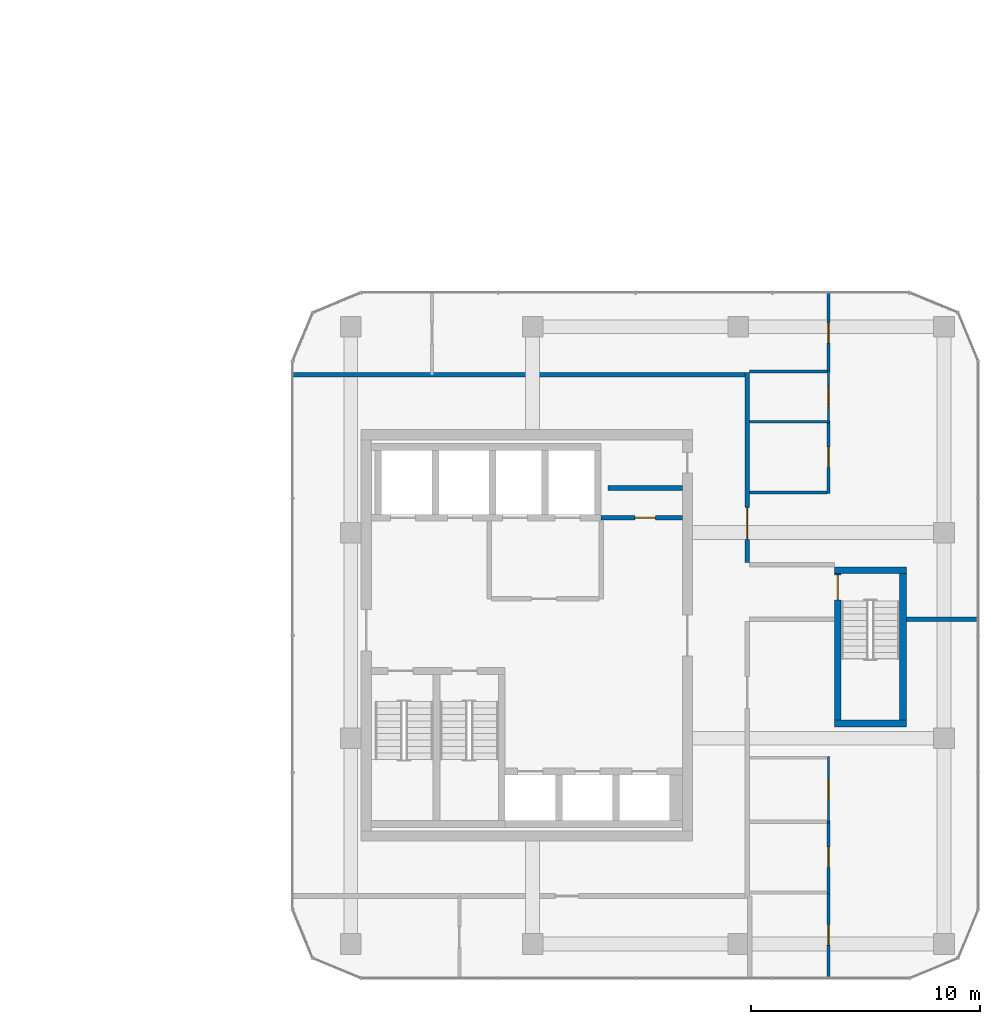
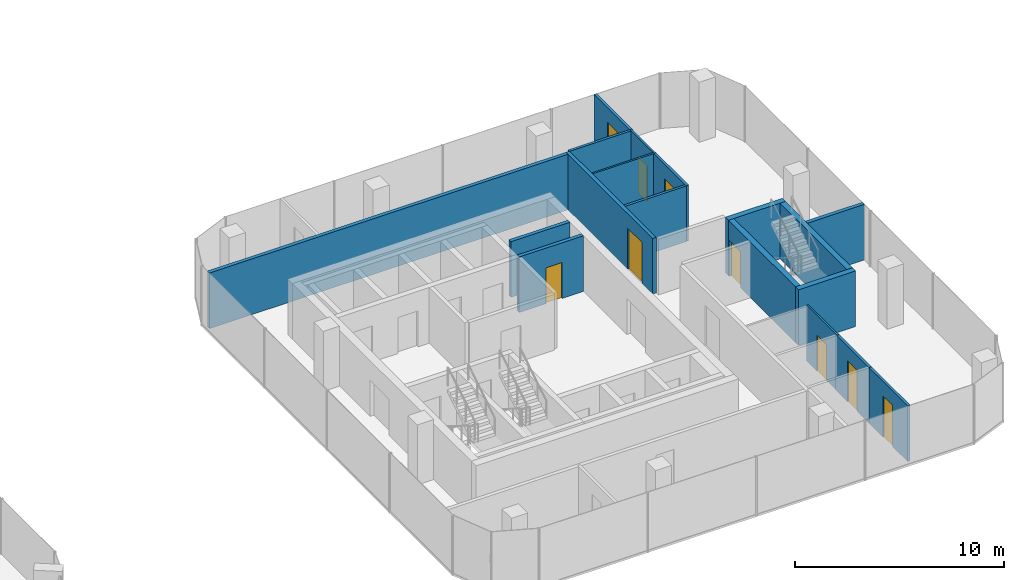
# One storey, part 19 of 27: 18 walls, 9 doors, 9 openings.
"""IFC4 building model written with IfcOpenShell, lengths in metres."""

from ifc_helpers import new_model, si_unit, direction, frame, frame_2d, origin, place, context, subcontext, project, spatial, rectangle, extrude, material, layer, layer_set, type_object, element, fill, save


model = new_model("IFC4")

# Units and contexts
model_context = context("Model", 3, precision=1e-05, world=origin(), true_north=direction((0.0, 1.0)))
body_context = subcontext(model_context, "Body", "Model", "MODEL_VIEW")
ifc_project = project(units=[si_unit("LENGTHUNIT", "METRE"), si_unit("AREAUNIT", "SQUARE_METRE"), si_unit("VOLUMEUNIT", "CUBIC_METRE"), si_unit("PLANEANGLEUNIT", "RADIAN"), si_unit("MASSUNIT", "GRAM", prefix="KILO")], contexts=[model_context])

# Site, building, storey
site_placement = place(None, origin())
site = spatial("IfcSite", under=ifc_project, at=site_placement, CompositionType="ELEMENT")
building_placement = place(site_placement, origin())
building = spatial("IfcBuilding", under=site, at=building_placement, Name="Plateau Cross Towers", CompositionType="ELEMENT")
storey_placement = place(building_placement, frame((0.0, 0.0, 78.300048828125)))
storey = spatial("IfcBuildingStorey", under=building, at=storey_placement, Name="L19", CompositionType="ELEMENT", Elevation=78.300048828125)

# Wall, opening, door
ifc_material_1 = material(Name="Concrete block, plastered both sides", Category="concrete")
ifc_layer_1 = layer(ifc_material_1, 0.199951171875)
ifc_layer_set_1 = layer_set([ifc_layer_1], Name="Concrete block, plastered both sides")
wall_type_1 = type_object("IfcWallType", Name="Core partition 200", PredefinedType="PARTITIONING", material=ifc_layer_set_1)
wall_1_placement = place(storey_placement, frame((85.5, 14.14990234375, 0.0), z_axis=(0.0, 0.0, 1.0), x_axis=(1.0, 0.0, 0.0)))
wall_1 = element("IfcWall", 1, at=wall_1_placement, inside=storey, type_object=wall_type_1, Name="Core partition", PredefinedType="PARTITIONING", context=body_context, shape_type="SweptSolid", body=[
    extrude(rectangle(XDim=3.550048828125, YDim=0.199951171875, at=frame_2d((1.77490234375, 0.0))), origin(), (0.0, 0.0, 1.0), 3.25),
])
opening_1_placement = place(wall_1_placement, frame((1.47509765625, 0.0, 0.0)))
opening_1 = element("IfcOpeningElement", 2, at=opening_1_placement, cuts=wall_1, Name="Opening RD2", PredefinedType="OPENING", context=body_context, shape_type="SweptSolid", body=[
    extrude(rectangle(XDim=0.89990234375, YDim=2.10009765625, at=frame_2d((0.449951171875, 1.050048828125))), frame((0.0, 0.10986328125, 0.0), z_axis=(0.0, -1.0, 0.0), x_axis=(1.0, 0.0, 0.0)), (0.0, 0.0, 1.0), 0.219970703125),
])
ifc_material_2 = material(Name="Steel, fire-resisting leaf", Category="steel")
door_type_1 = type_object("IfcDoorType", Name="Core riser door 900", OperationType="NOTDEFINED", PredefinedType="DOOR", material=ifc_material_2)
door_1_placement = place(opening_1_placement, origin())
door_1 = element("IfcDoor", 3, at=door_1_placement, inside=storey, type_object=door_type_1, Name="Core riser door RD2", OperationType="SINGLE_SWING_LEFT", OverallHeight=2.10009765625, OverallWidth=0.89990234375, PredefinedType="DOOR", context=body_context, shape_type="SweptSolid", body=[
    extrude(rectangle(XDim=0.89990234375, YDim=2.10009765625, at=frame_2d((0.449951171875, 1.050048828125))), frame((0.0, 0.02490234375, 0.0), z_axis=(0.0, -1.0, 0.0), x_axis=(1.0, 0.0, 0.0)), (0.0, 0.0, 1.0), 0.050048828125),
])
fill(opening_1, door_1)

# Wall
wall_2_placement = place(storey_placement, frame((85.800048828125, 15.449951171875, 0.0), z_axis=(0.0, 0.0, 1.0), x_axis=(1.0, 0.0, 0.0)))
element("IfcWall", 4, at=wall_2_placement, inside=storey, type_object=wall_type_1, Name="Core partition", PredefinedType="PARTITIONING", context=body_context, shape_type="SweptSolid", body=[
    extrude(rectangle(XDim=3.25, YDim=0.199951171875, at=frame_2d((1.625, 0.0))), origin(), (0.0, 0.0, 1.0), 3.25),
])

# Wall, opening, door
ifc_material_3 = material(Name="Concrete C60/75", Category="concrete")
ifc_layer_2 = layer(ifc_material_3, 0.300048828125)
ifc_layer_set_2 = layer_set([ifc_layer_2], Name="Concrete C60/75")
wall_type_2 = type_object("IfcWallType", Name="Core shaft wall 300", PredefinedType="SHEAR", material=ifc_layer_set_2)
wall_3_placement = place(storey_placement, frame((95.85009765625, 5.300048828125, 0.0), z_axis=(0.0, 0.0, 1.0), x_axis=(0.0, 1.0, 0.0)))
wall_3 = element("IfcWall", 5, at=wall_3_placement, inside=storey, type_object=wall_type_2, Name="B-sb3-W@L19", PredefinedType="SHEAR", context=body_context, shape_type="SweptSolid", body=[
    extrude(rectangle(XDim=6.39990234375, YDim=0.300048828125, at=frame_2d((3.199951171875, 0.0))), origin(), (0.0, 0.0, 1.0), 3.25),
])
opening_2_placement = place(wall_3_placement, frame((5.25, 0.0, 0.0)))
opening_2 = element("IfcOpeningElement", 6, at=opening_2_placement, cuts=wall_3, Name="Opening SD", PredefinedType="OPENING", context=body_context, shape_type="SweptSolid", body=[
    extrude(rectangle(XDim=1.10009765625, YDim=2.10009765625, at=frame_2d((0.550048828125, 1.050048828125))), frame((0.0, 0.159912109375, 0.0), z_axis=(0.0, -1.0, 0.0), x_axis=(1.0, 0.0, 0.0)), (0.0, 0.0, 1.0), 0.320068359375),
])
door_type_2 = type_object("IfcDoorType", Name="Stair door 1100", OperationType="NOTDEFINED", PredefinedType="DOOR", material=ifc_material_2)
door_2_placement = place(opening_2_placement, origin())
door_2 = element("IfcDoor", 7, at=door_2_placement, inside=storey, type_object=door_type_2, Name="Stair door SD", OperationType="SINGLE_SWING_LEFT", OverallHeight=2.10009765625, OverallWidth=1.10009765625, PredefinedType="DOOR", context=body_context, shape_type="SweptSolid", body=[
    extrude(rectangle(XDim=1.10009765625, YDim=2.10009765625, at=frame_2d((0.550048828125, 1.050048828125))), frame((0.0, 0.02490234375, 0.0), z_axis=(0.0, -1.0, 0.0), x_axis=(1.0, 0.0, 0.0)), (0.0, 0.0, 1.0), 0.050048828125),
])
fill(opening_2, door_2)

# Walls
wall_4_placement = place(storey_placement, frame((98.699951171875, 5.300048828125, 0.0), z_axis=(0.0, 0.0, 1.0), x_axis=(0.0, 1.0, 0.0)))
element("IfcWall", 8, at=wall_4_placement, inside=storey, type_object=wall_type_2, Name="B-sb3-E@L19", PredefinedType="SHEAR", context=body_context, shape_type="SweptSolid", body=[
    extrude(rectangle(XDim=6.39990234375, YDim=0.300048828125, at=frame_2d((3.199951171875, 0.0))), origin(), (0.0, 0.0, 1.0), 3.25),
])
for number, where, z_axis, x_axis, name in (
    (9, (95.699951171875, 5.14990234375, 0.0), (0.0, 0.0, 1.0), (1.0, 0.0, 0.0), "B-sb3-S@L19"),
    (10, (95.699951171875, 11.85009765625, 0.0), (0.0, 0.0, 1.0), (1.0, 0.0, 0.0), "B-sb3-N@L19"),
):
    element("IfcWall", number, at=place(storey_placement, frame(where, z_axis=z_axis, x_axis=x_axis)), inside=storey, type_object=wall_type_2, Name=name, PredefinedType="SHEAR", context=body_context, shape_type="SweptSolid", body=[
        extrude(rectangle(XDim=3.150146484375, YDim=0.300048828125, at=frame_2d((1.5751953125, 0.0))), origin(), (0.0, 0.0, 1.0), 3.25),
    ])
ifc_material_4 = material(Name="Gypsum board on steel studs, two layers each side", Category="steel")
ifc_layer_3 = layer(ifc_material_4, 0.199951171875)
ifc_layer_set_3 = layer_set([ifc_layer_3], Name="Gypsum board on steel studs, two layers each side")
wall_type_3 = type_object("IfcWallType", Name="Corridor wall 200", PredefinedType="PARTITIONING", material=ifc_layer_set_3)
wall_5_placement = place(storey_placement, frame((72.0, 20.39990234375, 0.0), z_axis=(0.0, 0.0, 1.0), x_axis=(1.0, 0.0, 0.0)))
element("IfcWall", 11, at=wall_5_placement, inside=storey, type_object=wall_type_3, Name="Ring wall", PredefinedType="PARTITIONING", context=body_context, shape_type="SweptSolid", body=[
    extrude(rectangle(XDim=20.0, YDim=0.199951171875, at=frame_2d((10.0, 0.0))), origin(), (0.0, 0.0, 1.0), 3.25),
])

# Wall, opening, door
wall_6_placement = place(storey_placement, frame((91.89990234375, 12.199951171875, 0.0), z_axis=(0.0, 0.0, 1.0), x_axis=(0.0, 1.0, 0.0)))
wall_6 = element("IfcWall", 12, at=wall_6_placement, inside=storey, type_object=wall_type_3, Name="Ring wall", PredefinedType="PARTITIONING", context=body_context, shape_type="SweptSolid", body=[
    extrude(rectangle(XDim=8.300048828125, YDim=0.199951171875, at=frame_2d((4.14990234375, 0.0))), origin(), (0.0, 0.0, 1.0), 3.25),
])
opening_3_placement = place(wall_6_placement, frame((1.0, 0.0, 0.0)))
opening_3 = element("IfcOpeningElement", 13, at=opening_3_placement, cuts=wall_6, Name="Opening D-BE14", PredefinedType="OPENING", context=body_context, shape_type="SweptSolid", body=[
    extrude(rectangle(XDim=1.39990234375, YDim=2.39990234375, at=frame_2d((0.699951171875, 1.199951171875))), frame((0.0, 0.10986328125, 0.0), z_axis=(0.0, -1.0, 0.0), x_axis=(1.0, 0.0, 0.0)), (0.0, 0.0, 1.0), 0.219970703125),
])
ifc_material_5 = material(Name="Timber, fire-resisting leaves", Category="wood")
door_type_3 = type_object("IfcDoorType", Name="Tenant entrance double-leaf 1400x2400", OperationType="NOTDEFINED", PredefinedType="DOOR", material=ifc_material_5)
door_3_placement = place(opening_3_placement, origin())
door_3 = element("IfcDoor", 14, at=door_3_placement, inside=storey, type_object=door_type_3, Name="Door D-BE14", OperationType="DOUBLE_DOOR_SINGLE_SWING", OverallHeight=2.39990234375, OverallWidth=1.39990234375, PredefinedType="DOOR", context=body_context, shape_type="SweptSolid", body=[
    extrude(rectangle(XDim=1.39990234375, YDim=2.39990234375, at=frame_2d((0.699951171875, 1.199951171875))), frame((0.0, 0.02490234375, 0.0), z_axis=(0.0, -1.0, 0.0), x_axis=(1.0, 0.0, 0.0)), (0.0, 0.0, 1.0), 0.050048828125),
])
fill(opening_3, door_3)

ifc_material_6 = material(Name="Gypsum board on staggered steel studs, mineral wool, two layers each side", Category="steel")
ifc_layer_4 = layer(ifc_material_6, 0.139892578125)
ifc_layer_set_4 = layer_set([ifc_layer_4], Name="Gypsum board on staggered steel studs, mineral wool, two layers each side")
wall_type_4 = type_object("IfcWallType", Name="Meeting room acoustic partition 140", PredefinedType="PARTITIONING", material=ifc_layer_set_4)
wall_7_placement = place(storey_placement, frame((95.449951171875, -6.0, 0.0), z_axis=(0.0, 0.0, 1.0), x_axis=(0.0, 1.0, 0.0)))
wall_7 = element("IfcWall", 15, at=wall_7_placement, inside=storey, type_object=wall_type_4, Name="Acoustic wall", PredefinedType="PARTITIONING", context=body_context, shape_type="SweptSolid", body=[
    extrude(rectangle(XDim=3.800048828125, YDim=0.139892578125, at=frame_2d((1.89990234375, 0.0))), origin(), (0.0, 0.0, 1.0), 3.25),
])
opening_4_placement = place(wall_7_placement, frame((1.449951171875, 0.0, 0.0)))
opening_4 = element("IfcOpeningElement", 16, at=opening_4_placement, cuts=wall_7, Name="Opening D-BM9", PredefinedType="OPENING", context=body_context, shape_type="SweptSolid", body=[
    extrude(rectangle(XDim=0.89990234375, YDim=2.39990234375, at=frame_2d((0.449951171875, 1.199951171875))), frame((0.0, 0.079833984375, 0.0), z_axis=(0.0, -1.0, 0.0), x_axis=(1.0, 0.0, 0.0)), (0.0, 0.0, 1.0), 0.159912109375),
])
ifc_material_7 = material(Name="Timber leaf, full height", Category="wood")
door_type_4 = type_object("IfcDoorType", Name="Meeting room door 900x2400", OperationType="NOTDEFINED", PredefinedType="DOOR", material=ifc_material_7)
door_4_placement = place(opening_4_placement, origin())
door_4 = element("IfcDoor", 17, at=door_4_placement, inside=storey, type_object=door_type_4, Name="Door D-BM9", OperationType="SINGLE_SWING_LEFT", OverallHeight=2.39990234375, OverallWidth=0.89990234375, PredefinedType="DOOR", context=body_context, shape_type="SweptSolid", body=[
    extrude(rectangle(XDim=0.89990234375, YDim=2.39990234375, at=frame_2d((0.449951171875, 1.199951171875))), frame((0.0, 0.02490234375, 0.0), z_axis=(0.0, -1.0, 0.0), x_axis=(1.0, 0.0, 0.0)), (0.0, 0.0, 1.0), 0.050048828125),
])
fill(opening_4, door_4)

wall_8_placement = place(storey_placement, frame((95.449951171875, -2.300048828125, 0.0), z_axis=(0.0, 0.0, 1.0), x_axis=(0.0, 1.0, 0.0)))
wall_8 = element("IfcWall", 18, at=wall_8_placement, inside=storey, type_object=wall_type_4, Name="Acoustic wall", PredefinedType="PARTITIONING", context=body_context, shape_type="SweptSolid", body=[
    extrude(rectangle(XDim=3.199951171875, YDim=0.139892578125, at=frame_2d((1.60009765625, 0.0))), origin(), (0.0, 0.0, 1.0), 3.25),
])
opening_5_placement = place(wall_8_placement, frame((1.14990234375, 0.0, 0.0)))
opening_5 = element("IfcOpeningElement", 19, at=opening_5_placement, cuts=wall_8, Name="Opening D-BM9", PredefinedType="OPENING", context=body_context, shape_type="SweptSolid", body=[
    extrude(rectangle(XDim=0.89990234375, YDim=2.39990234375, at=frame_2d((0.449951171875, 1.199951171875))), frame((0.0, 0.079833984375, 0.0), z_axis=(0.0, -1.0, 0.0), x_axis=(1.0, 0.0, 0.0)), (0.0, 0.0, 1.0), 0.159912109375),
])
door_5_placement = place(opening_5_placement, origin())
door_5 = element("IfcDoor", 20, at=door_5_placement, inside=storey, type_object=door_type_4, Name="Door D-BM9", OperationType="SINGLE_SWING_LEFT", OverallHeight=2.39990234375, OverallWidth=0.89990234375, PredefinedType="DOOR", context=body_context, shape_type="SweptSolid", body=[
    extrude(rectangle(XDim=0.89990234375, YDim=2.39990234375, at=frame_2d((0.449951171875, 1.199951171875))), frame((0.0, 0.02490234375, 0.0), z_axis=(0.0, -1.0, 0.0), x_axis=(1.0, 0.0, 0.0)), (0.0, 0.0, 1.0), 0.050048828125),
])
fill(opening_5, door_5)

wall_9_placement = place(storey_placement, frame((95.449951171875, 20.5, 0.0), z_axis=(0.0, 0.0, 1.0), x_axis=(0.0, 1.0, 0.0)))
wall_9 = element("IfcWall", 21, at=wall_9_placement, inside=storey, type_object=wall_type_4, Name="Acoustic wall", PredefinedType="PARTITIONING", context=body_context, shape_type="SweptSolid", body=[
    extrude(rectangle(XDim=3.5, YDim=0.139892578125, at=frame_2d((1.75, 0.0))), origin(), (0.0, 0.0, 1.0), 3.25),
])
opening_6_placement = place(wall_9_placement, frame((1.300048828125, 0.0, 0.0)))
opening_6 = element("IfcOpeningElement", 22, at=opening_6_placement, cuts=wall_9, Name="Opening D-BM9", PredefinedType="OPENING", context=body_context, shape_type="SweptSolid", body=[
    extrude(rectangle(XDim=0.89990234375, YDim=2.39990234375, at=frame_2d((0.449951171875, 1.199951171875))), frame((0.0, 0.079833984375, 0.0), z_axis=(0.0, -1.0, 0.0), x_axis=(1.0, 0.0, 0.0)), (0.0, 0.0, 1.0), 0.159912109375),
])
door_6_placement = place(opening_6_placement, origin())
door_6 = element("IfcDoor", 23, at=door_6_placement, inside=storey, type_object=door_type_4, Name="Door D-BM9", OperationType="SINGLE_SWING_LEFT", OverallHeight=2.39990234375, OverallWidth=0.89990234375, PredefinedType="DOOR", context=body_context, shape_type="SweptSolid", body=[
    extrude(rectangle(XDim=0.89990234375, YDim=2.39990234375, at=frame_2d((0.449951171875, 1.199951171875))), frame((0.0, 0.02490234375, 0.0), z_axis=(0.0, -1.0, 0.0), x_axis=(1.0, 0.0, 0.0)), (0.0, 0.0, 1.0), 0.050048828125),
])
fill(opening_6, door_6)

# Wall
wall_10_placement = place(storey_placement, frame((92.0, 20.550048828125, 0.0), z_axis=(0.0, 0.0, 1.0), x_axis=(1.0, 0.0, 0.0)))
element("IfcWall", 24, at=wall_10_placement, inside=storey, type_object=wall_type_4, Name="Acoustic wall", PredefinedType="PARTITIONING", context=body_context, shape_type="SweptSolid", body=[
    extrude(rectangle(XDim=3.3798828125, YDim=0.139892578125, at=frame_2d((1.68994140625, 0.0))), origin(), (0.0, 0.0, 1.0), 3.25),
])

# Wall, opening, door
wall_11_placement = place(storey_placement, frame((95.449951171875, 15.199951171875, 0.0), z_axis=(0.0, 0.0, 1.0), x_axis=(0.0, 1.0, 0.0)))
wall_11 = element("IfcWall", 25, at=wall_11_placement, inside=storey, type_object=wall_type_4, Name="Acoustic wall", PredefinedType="PARTITIONING", context=body_context, shape_type="SweptSolid", body=[
    extrude(rectangle(XDim=3.199951171875, YDim=0.139892578125, at=frame_2d((1.60009765625, 0.0))), origin(), (0.0, 0.0, 1.0), 3.25),
])
opening_7_placement = place(wall_11_placement, frame((1.14990234375, 0.0, 0.0)))
opening_7 = element("IfcOpeningElement", 26, at=opening_7_placement, cuts=wall_11, Name="Opening D-BM9", PredefinedType="OPENING", context=body_context, shape_type="SweptSolid", body=[
    extrude(rectangle(XDim=0.89990234375, YDim=2.39990234375, at=frame_2d((0.449951171875, 1.199951171875))), frame((0.0, 0.079833984375, 0.0), z_axis=(0.0, -1.0, 0.0), x_axis=(1.0, 0.0, 0.0)), (0.0, 0.0, 1.0), 0.159912109375),
])
door_7_placement = place(opening_7_placement, origin())
door_7 = element("IfcDoor", 27, at=door_7_placement, inside=storey, type_object=door_type_4, Name="Door D-BM9", OperationType="SINGLE_SWING_LEFT", OverallHeight=2.39990234375, OverallWidth=0.89990234375, PredefinedType="DOOR", context=body_context, shape_type="SweptSolid", body=[
    extrude(rectangle(XDim=0.89990234375, YDim=2.39990234375, at=frame_2d((0.449951171875, 1.199951171875))), frame((0.0, 0.02490234375, 0.0), z_axis=(0.0, -1.0, 0.0), x_axis=(1.0, 0.0, 0.0)), (0.0, 0.0, 1.0), 0.050048828125),
])
fill(opening_7, door_7)

# Wall
wall_12_placement = place(storey_placement, frame((92.0, 15.25, 0.0), z_axis=(0.0, 0.0, 1.0), x_axis=(1.0, 0.0, 0.0)))
element("IfcWall", 28, at=wall_12_placement, inside=storey, type_object=wall_type_4, Name="Acoustic wall", PredefinedType="PARTITIONING", context=body_context, shape_type="SweptSolid", body=[
    extrude(rectangle(XDim=3.3798828125, YDim=0.139892578125, at=frame_2d((1.68994140625, 0.0))), origin(), (0.0, 0.0, 1.0), 3.25),
])

# Wall, opening, door
ifc_material_8 = material(Name="Gypsum board on steel studs", Category="steel")
ifc_layer_5 = layer(ifc_material_8, 0.10009765625)
ifc_layer_set_5 = layer_set([ifc_layer_5], Name="Gypsum board on steel studs")
wall_type_5 = type_object("IfcWallType", Name="Office partition 100", PredefinedType="PARTITIONING", material=ifc_layer_set_5)
wall_13_placement = place(storey_placement, frame((95.449951171875, 0.800048828125, 0.0), z_axis=(0.0, 0.0, 1.0), x_axis=(0.0, 1.0, 0.0)))
wall_13 = element("IfcWall", 29, at=wall_13_placement, inside=storey, type_object=wall_type_5, Name="Part wall", PredefinedType="PARTITIONING", context=body_context, shape_type="SweptSolid", body=[
    extrude(rectangle(XDim=2.89990234375, YDim=0.10009765625, at=frame_2d((1.449951171875, 0.0))), origin(), (0.0, 0.0, 1.0), 3.25),
])
opening_8_placement = place(wall_13_placement, frame((1.0, 0.0, 0.0)))
opening_8 = element("IfcOpeningElement", 30, at=opening_8_placement, cuts=wall_13, Name="Opening D-BR9", PredefinedType="OPENING", context=body_context, shape_type="SweptSolid", body=[
    extrude(rectangle(XDim=0.89990234375, YDim=2.10009765625, at=frame_2d((0.449951171875, 1.050048828125))), frame((0.0, 0.06005859375, 0.0), z_axis=(0.0, -1.0, 0.0), x_axis=(1.0, 0.0, 0.0)), (0.0, 0.0, 1.0), 0.1201171875),
])
ifc_material_9 = material(Name="Timber leaf", Category="wood")
door_type_5 = type_object("IfcDoorType", Name="Office room door 900", OperationType="NOTDEFINED", PredefinedType="DOOR", material=ifc_material_9)
door_8_placement = place(opening_8_placement, origin())
door_8 = element("IfcDoor", 31, at=door_8_placement, inside=storey, type_object=door_type_5, Name="Door D-BR9", OperationType="SINGLE_SWING_LEFT", OverallHeight=2.10009765625, OverallWidth=0.89990234375, PredefinedType="DOOR", context=body_context, shape_type="SweptSolid", body=[
    extrude(rectangle(XDim=0.89990234375, YDim=2.10009765625, at=frame_2d((0.449951171875, 1.050048828125))), frame((0.0, 0.02490234375, 0.0), z_axis=(0.0, -1.0, 0.0), x_axis=(1.0, 0.0, 0.0)), (0.0, 0.0, 1.0), 0.050048828125),
])
fill(opening_8, door_8)

wall_14_placement = place(storey_placement, frame((95.449951171875, 18.300048828125, 0.0), z_axis=(0.0, 0.0, 1.0), x_axis=(0.0, 1.0, 0.0)))
wall_14 = element("IfcWall", 32, at=wall_14_placement, inside=storey, type_object=wall_type_5, Name="Part wall", PredefinedType="PARTITIONING", context=body_context, shape_type="SweptSolid", body=[
    extrude(rectangle(XDim=2.300048828125, YDim=0.10009765625, at=frame_2d((1.14990234375, 0.0))), origin(), (0.0, 0.0, 1.0), 3.25),
])
opening_9_placement = place(wall_14_placement, frame((0.699951171875, 0.0, 0.0)))
opening_9 = element("IfcOpeningElement", 33, at=opening_9_placement, cuts=wall_14, Name="Opening D-BR9", PredefinedType="OPENING", context=body_context, shape_type="SweptSolid", body=[
    extrude(rectangle(XDim=0.89990234375, YDim=2.10009765625, at=frame_2d((0.449951171875, 1.050048828125))), frame((0.0, 0.06005859375, 0.0), z_axis=(0.0, -1.0, 0.0), x_axis=(1.0, 0.0, 0.0)), (0.0, 0.0, 1.0), 0.1201171875),
])
door_9_placement = place(opening_9_placement, origin())
door_9 = element("IfcDoor", 34, at=door_9_placement, inside=storey, type_object=door_type_5, Name="Door D-BR9", OperationType="SINGLE_SWING_LEFT", OverallHeight=2.10009765625, OverallWidth=0.89990234375, PredefinedType="DOOR", context=body_context, shape_type="SweptSolid", body=[
    extrude(rectangle(XDim=0.89990234375, YDim=2.10009765625, at=frame_2d((0.449951171875, 1.050048828125))), frame((0.0, 0.02490234375, 0.0), z_axis=(0.0, -1.0, 0.0), x_axis=(1.0, 0.0, 0.0)), (0.0, 0.0, 1.0), 0.050048828125),
])
fill(opening_9, door_9)

# Walls
wall_15_placement = place(storey_placement, frame((92.0, 18.35009765625, 0.0), z_axis=(0.0, 0.0, 1.0), x_axis=(1.0, 0.0, 0.0)))
element("IfcWall", 35, at=wall_15_placement, inside=storey, type_object=wall_type_5, Name="Part wall", PredefinedType="PARTITIONING", context=body_context, shape_type="SweptSolid", body=[
    extrude(rectangle(XDim=3.39990234375, YDim=0.10009765625, at=frame_2d((1.699951171875, 0.0))), origin(), (0.0, 0.0, 1.0), 3.25),
])
ifc_layer_6 = layer(ifc_material_4, 0.199951171875)
ifc_layer_set_6 = layer_set([ifc_layer_6], Name="Gypsum board on steel studs, two layers each side")
wall_type_6 = type_object("IfcWallType", Name="Tenancy demising wall 200", PredefinedType="PARTITIONING", material=ifc_layer_set_6)
wall_16_placement = place(storey_placement, frame((98.85009765625, 9.699951171875, 0.0), z_axis=(0.0, 0.0, 1.0), x_axis=(1.0, 0.0, 0.0)))
element("IfcWall", 36, at=wall_16_placement, inside=storey, type_object=wall_type_6, Name="Demising wall", PredefinedType="PARTITIONING", context=body_context, shape_type="SweptSolid", body=[
    extrude(rectangle(XDim=3.14990234375, YDim=0.199951171875, at=frame_2d((1.574951171875, 0.0))), origin(), (0.0, 0.0, 1.0), 3.25),
])

save(model, "model.ifc")
